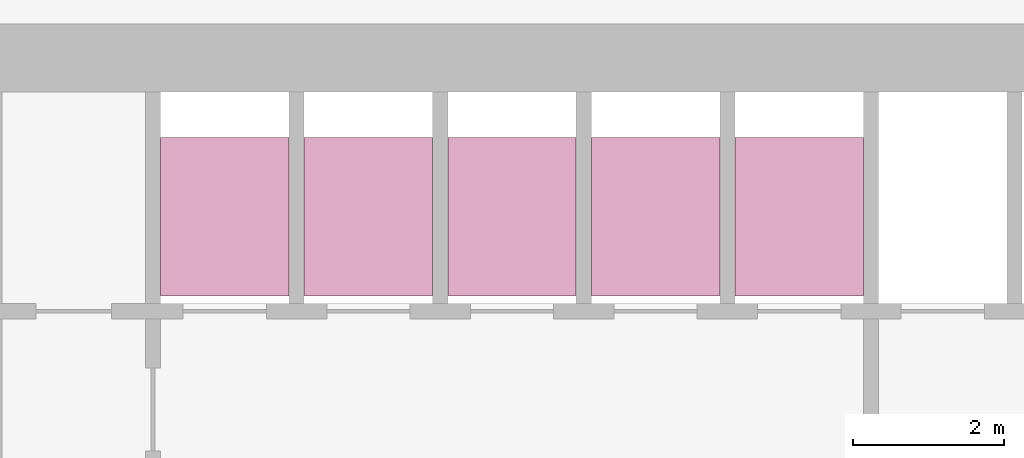
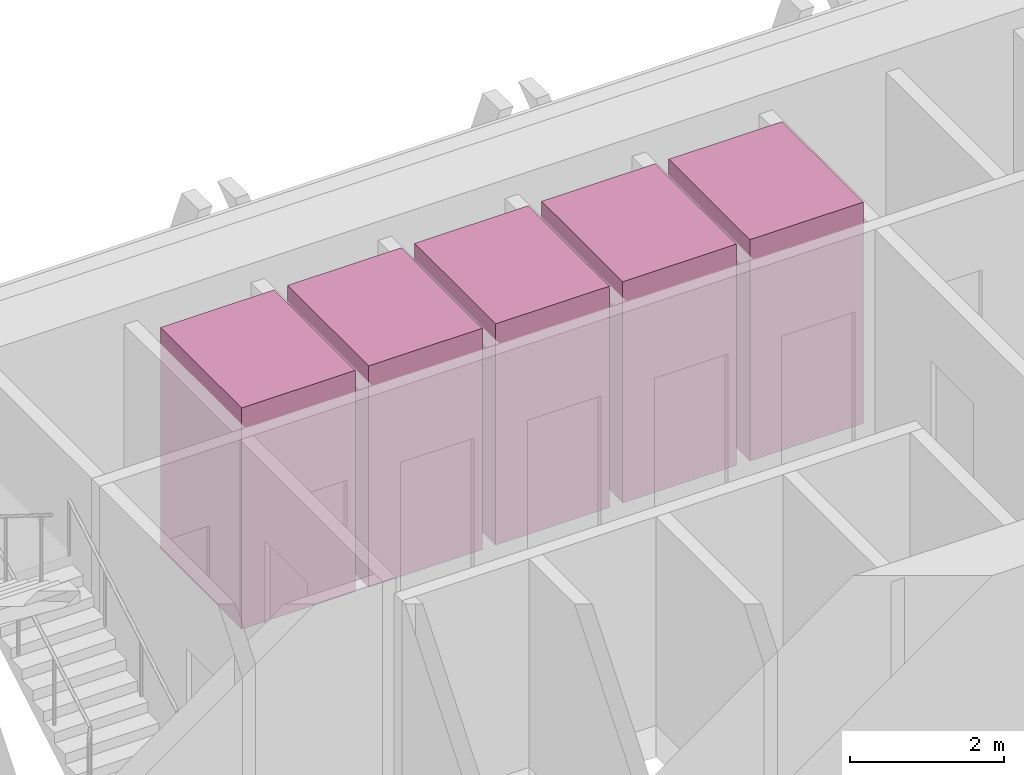
# One storey, part 15 of 15: 5 transport elements.
"""IFC4 building model written with IfcOpenShell, lengths in metres."""

from ifc_helpers import new_model, si_unit, direction, frame, origin, origin_2d, place, context, subcontext, project, spatial, rectangle, extrude, material, type_object, element, save


model = new_model("IFC4")

# Units and contexts
model_context = context("Model", 3, precision=1e-05, world=origin(), true_north=direction((0.0, 1.0)))
body_context = subcontext(model_context, "Body", "Model", "MODEL_VIEW")
ifc_project = project(units=[si_unit("LENGTHUNIT", "METRE"), si_unit("AREAUNIT", "SQUARE_METRE"), si_unit("VOLUMEUNIT", "CUBIC_METRE"), si_unit("PLANEANGLEUNIT", "RADIAN"), si_unit("MASSUNIT", "GRAM", prefix="KILO")], contexts=[model_context])

# Site, building, storey
site_placement = place(None, origin())
site = spatial("IfcSite", under=ifc_project, at=site_placement, CompositionType="ELEMENT")
building_placement = place(site_placement, origin())
building = spatial("IfcBuilding", under=site, at=building_placement, Name="Altiplano Prism Tower", CompositionType="ELEMENT")
storey_placement = place(building_placement, frame((0.0, 0.0, 91.800048828125)))
storey = spatial("IfcBuildingStorey", under=building, at=storey_placement, Name="L23", CompositionType="ELEMENT", Elevation=91.800048828125)

# Transport elements
ifc_material = material(Name="Stainless steel lift car", Category="steel")
transport_element_type = type_object("IfcTransportElementType", Name="Passenger lift car 1600 x 2100", PredefinedType="ELEVATOR", material=ifc_material)
for number, where, z_axis, x_axis, name in (
    (1, (79.050048828125, 101.75, 0.050048828125), (0.0, 0.0, 1.0), (1.0, 0.0, 0.0), "Low Zone Passenger Lift 1"),
    (2, (80.949951171875, 101.75, 0.050048828125), (0.0, 0.0, 1.0), (1.0, 0.0, 0.0), "Low Zone Passenger Lift 2"),
    (3, (82.85009765625, 101.75, 0.050048828125), (0.0, 0.0, 1.0), (1.0, 0.0, 0.0), "Low Zone Passenger Lift 3"),
    (4, (84.75, 101.75, 0.050048828125), (0.0, 0.0, 1.0), (1.0, 0.0, 0.0), "Low Zone Passenger Lift 4"),
    (5, (86.64990234375, 101.75, 0.050048828125), (0.0, 0.0, 1.0), (1.0, 0.0, 0.0), "Low Zone Passenger Lift 5"),
):
    element("IfcTransportElement", number, at=place(storey_placement, frame(where, z_axis=z_axis, x_axis=x_axis)), inside=storey, type_object=transport_element_type, Name=name, PredefinedType="ELEVATOR", context=body_context, shape_type="SweptSolid", body=[
        extrude(rectangle(XDim=1.699951171875, YDim=2.10009765625, at=origin_2d()), origin(), (0.0, 0.0, 1.0), 3.5),
    ])

save(model, "model.ifc")
